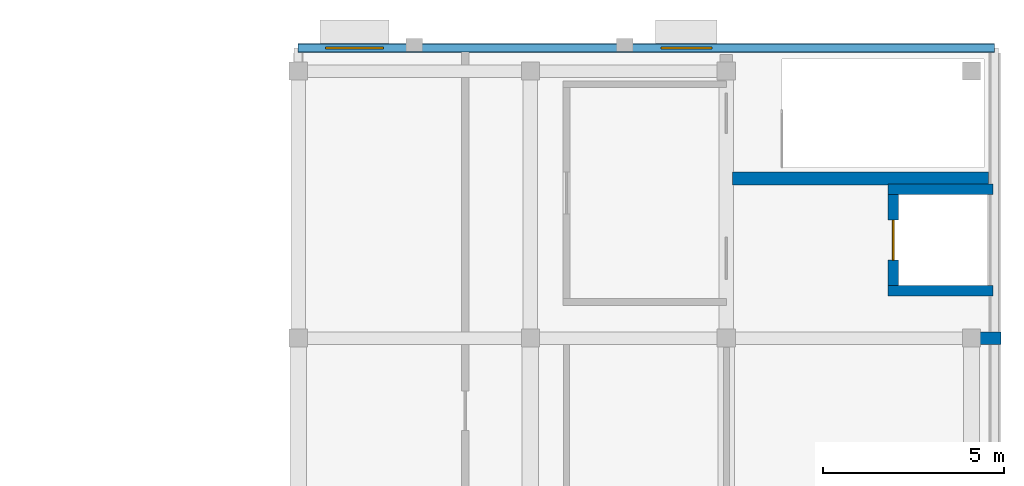
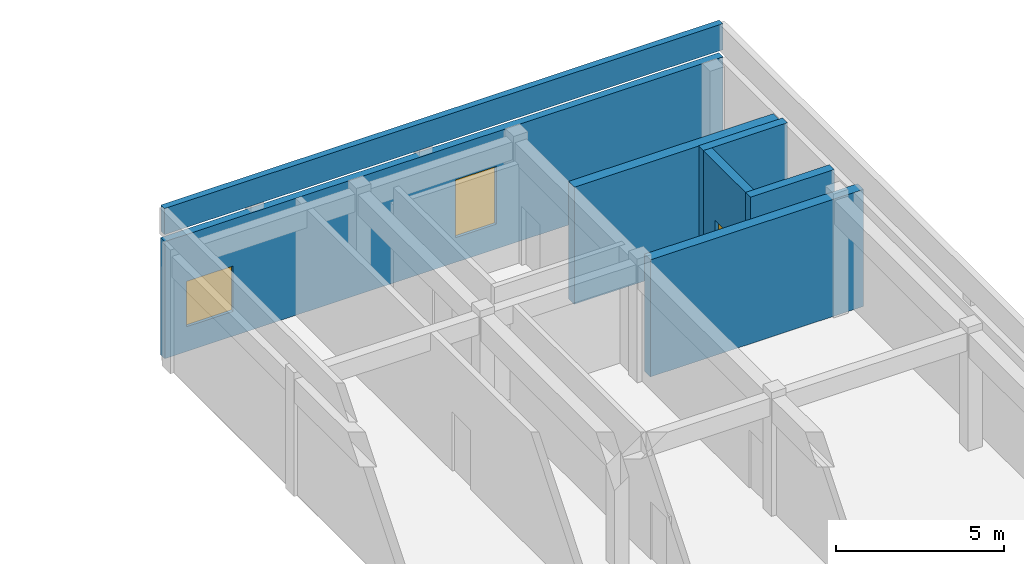
# One storey, part 4 of 5: 7 walls, 2 windows, 1 door, 3 openings.
"""IFC4 building model written with IfcOpenShell, lengths in metres."""

from ifc_helpers import new_model, si_unit, direction, frame, frame_2d, origin, place, context, subcontext, project, spatial, rectangle, extrude, material, layer, layer_set, type_object, element, fill, save


model = new_model("IFC4")

# Units and contexts
model_context = context("Model", 3, precision=1e-05, world=origin(), true_north=direction((0.0, 1.0)))
body_context = subcontext(model_context, "Body", "Model", "MODEL_VIEW")
ifc_project = project(units=[si_unit("LENGTHUNIT", "METRE"), si_unit("AREAUNIT", "SQUARE_METRE"), si_unit("VOLUMEUNIT", "CUBIC_METRE"), si_unit("PLANEANGLEUNIT", "RADIAN"), si_unit("MASSUNIT", "GRAM", prefix="KILO")], contexts=[model_context])

# Site, building, storey
site_placement = place(None, origin())
site = spatial("IfcSite", under=ifc_project, at=site_placement, CompositionType="ELEMENT")
building_placement = place(site_placement, origin())
building = spatial("IfcBuilding", under=site, at=building_placement, Name="Cinchona Park Media Centre", CompositionType="ELEMENT")
storey_placement = place(building_placement, frame((0.0, 0.0, 29.39990234375)))
storey = spatial("IfcBuildingStorey", under=building, at=storey_placement, Name="L06", CompositionType="ELEMENT", Elevation=29.39990234375)

# Walls
ifc_material_1 = material(Name="Concrete C40/50", Category="concrete")
ifc_layer_1 = layer(ifc_material_1, 0.35009765625)
ifc_layer_set_1 = layer_set([ifc_layer_1], Name="Concrete C40/50")
wall_type_1 = type_object("IfcWallType", Name="WALL-W-CR350", PredefinedType="SHEAR", material=ifc_layer_set_1)
wall_1_placement = place(storey_placement, frame((164.85205078125, 110.0, 0.0), z_axis=(0.0, 0.0, 1.0), x_axis=(1.0, 0.0, 0.0)))
element("IfcWall", 1, at=wall_1_placement, inside=storey, type_object=wall_type_1, Name="Core Shear Wall W-CR350 L06", PredefinedType="SHEAR", context=body_context, shape_type="SweptSolid", body=[
    extrude(rectangle(XDim=7.322998046875, YDim=0.35009765625, at=frame_2d((3.66162109375, 0.0))), origin(), (0.0, 0.0, 1.0), 4.255126953125),
])
wall_2_placement = place(storey_placement, frame((164.77490234375, 114.39990234375, 0.0), z_axis=(0.0, 0.0, 1.0), x_axis=(1.0, 0.0, 0.0)))
element("IfcWall", 2, at=wall_2_placement, inside=storey, type_object=wall_type_1, Name="Core Shear Wall W-CR350 L06", PredefinedType="SHEAR", context=body_context, shape_type="SweptSolid", body=[
    extrude(rectangle(XDim=7.050048828125, YDim=0.35009765625, at=frame_2d((3.52490234375, 0.0))), origin(), (0.0, 0.0, 1.0), 4.255126953125),
])

# Wall, openings, windows
ifc_material_2 = material(Name="Precast concrete C40/50", Category="concrete")
ifc_layer_2 = layer(ifc_material_2, 0.25)
ifc_layer_set_2 = layer_set([ifc_layer_2], Name="Precast concrete C40/50")
wall_type_2 = type_object("IfcWallType", Name="WALL-W-EX04", PredefinedType="SOLIDWALL", material=ifc_layer_set_2)
wall_3_placement = place(storey_placement, frame((152.800048828125, 118.0, 0.0), z_axis=(0.0, 0.0, 1.0), x_axis=(1.0, 0.0, 0.0)))
wall_3 = element("IfcWall", 3, at=wall_3_placement, inside=storey, type_object=wall_type_2, Name="Exterior Wall W-EX04 V7 L06", PredefinedType="SOLIDWALL", context=body_context, shape_type="SweptSolid", body=[
    extrude(rectangle(XDim=19.199951171875, YDim=0.25, at=frame_2d((9.60009765625, 0.0))), origin(), (0.0, 0.0, 1.0), 4.255126953125),
])
opening_1_placement = place(wall_3_placement, frame((0.75, 0.0, 0.89990234375)))
opening_1 = element("IfcOpeningElement", 4, at=opening_1_placement, cuts=wall_3, Name="Opening WN25", PredefinedType="OPENING", context=body_context, shape_type="SweptSolid", body=[
    extrude(rectangle(XDim=1.60009765625, YDim=1.64990234375, at=frame_2d((0.800048828125, 0.824951171875))), frame((0.0, 0.135009765625, 0.0), z_axis=(0.0, -1.0, 0.0), x_axis=(1.0, 0.0, 0.0)), (0.0, 0.0, 1.0), 0.27001953125),
])
opening_2_placement = place(wall_3_placement, frame((10.0, 0.0, 0.89990234375)))
opening_2 = element("IfcOpeningElement", 5, at=opening_2_placement, cuts=wall_3, Name="Opening WN01", PredefinedType="OPENING", context=body_context, shape_type="SweptSolid", body=[
    extrude(rectangle(XDim=1.39990234375, YDim=2.10009765625, at=frame_2d((0.699951171875, 1.050048828125))), frame((0.0, 0.135009765625, 0.0), z_axis=(0.0, -1.0, 0.0), x_axis=(1.0, 0.0, 0.0)), (0.0, 0.0, 1.0), 0.27001953125),
])
ifc_material_3 = material(Name="Thermally Broken Aluminium Solar-Control Window", Category="aluminium")
window_type_1 = type_object("IfcWindowType", Name="WIN-WN01", PartitioningType="SINGLE_PANEL", PredefinedType="WINDOW", material=ifc_material_3)
window_1_placement = place(opening_2_placement, origin())
window_1 = element("IfcWindow", 6, at=window_1_placement, inside=storey, type_object=window_type_1, Name="Window WN01 L06", OverallHeight=2.10009765625, OverallWidth=1.39990234375, PartitioningType="SINGLE_PANEL", PredefinedType="WINDOW", context=body_context, shape_type="SweptSolid", body=[
    extrude(rectangle(XDim=1.39990234375, YDim=2.10009765625, at=frame_2d((0.699951171875, 1.050048828125))), frame((0.0, 0.030029296875, 0.0), z_axis=(0.0, -1.0, 0.0), x_axis=(1.0, 0.0, 0.0)), (0.0, 0.0, 1.0), 0.06005859375),
])
fill(opening_2, window_1)
ifc_material_4 = material(Name="Thermally Broken Aluminium Solar-Control Window", Category="aluminium")
window_type_2 = type_object("IfcWindowType", Name="WIN-WN25", PartitioningType="SINGLE_PANEL", PredefinedType="WINDOW", material=ifc_material_4)
window_2_placement = place(opening_1_placement, origin())
window_2 = element("IfcWindow", 7, at=window_2_placement, inside=storey, type_object=window_type_2, Name="Window WN25 L06", OverallHeight=1.64990234375, OverallWidth=1.60009765625, PartitioningType="SINGLE_PANEL", PredefinedType="WINDOW", context=body_context, shape_type="SweptSolid", body=[
    extrude(rectangle(XDim=1.60009765625, YDim=1.64990234375, at=frame_2d((0.800048828125, 0.824951171875))), frame((0.0, 0.030029296875, 0.0), z_axis=(0.0, -1.0, 0.0), x_axis=(1.0, 0.0, 0.0)), (0.0, 0.0, 1.0), 0.06005859375),
])
fill(opening_1, window_2)

# Walls
ifc_material_5 = material(Name="Precast concrete C40/50", Category="concrete")
ifc_layer_3 = layer(ifc_material_5, 0.219970703125)
ifc_layer_set_3 = layer_set([ifc_layer_3], Name="Precast concrete C40/50")
wall_type_3 = type_object("IfcWallType", Name="WALL-W-PR01", PredefinedType="PARAPET", material=ifc_layer_set_3)
wall_4_placement = place(storey_placement, frame((152.800048828125, 118.0, 4.5), z_axis=(0.0, 0.0, 1.0), x_axis=(1.0, 0.0, 0.0)))
element("IfcWall", 8, at=wall_4_placement, inside=storey, type_object=wall_type_3, Name="Roof Parapet Wall W-PR01 L06", PredefinedType="PARAPET", context=body_context, shape_type="SweptSolid", body=[
    extrude(rectangle(XDim=19.199951171875, YDim=0.219970703125, at=frame_2d((9.60009765625, 0.0))), origin(), (0.0, 0.0, 1.0), 0.9501953125),
])
ifc_material_6 = material(Name="Concrete C40/50", Category="concrete")
ifc_layer_4 = layer(ifc_material_6, 0.2900390625)
ifc_layer_set_4 = layer_set([ifc_layer_4], Name="Concrete C40/50")
wall_type_4 = type_object("IfcWallType", Name="WALL-W-SH290", PredefinedType="SHEAR", material=ifc_layer_set_4)
for number, where, z_axis, x_axis, name in (
    (9, (169.054931640625, 111.300048828125, 0.0), (0.0, 0.0, 1.0), (1.0, 0.0, 0.0), "Core Shear Wall W-SH290 L06"),
    (10, (169.054931640625, 114.10009765625, 0.0), (0.0, 0.0, 1.0), (1.0, 0.0, 0.0), "Core Shear Wall W-SH290 L06"),
):
    element("IfcWall", number, at=place(storey_placement, frame(where, z_axis=z_axis, x_axis=x_axis)), inside=storey, type_object=wall_type_4, Name=name, PredefinedType="SHEAR", context=body_context, shape_type="SweptSolid", body=[
        extrude(rectangle(XDim=2.89013671875, YDim=0.2900390625, at=frame_2d((1.445068359375, 0.0))), origin(), (0.0, 0.0, 1.0), 4.255126953125),
    ])

# Wall, opening, door
wall_5_placement = place(storey_placement, frame((169.199951171875, 111.445068359375, 0.0), z_axis=(0.0, 0.0, 1.0), x_axis=(0.0, 1.0, 0.0)))
wall_5 = element("IfcWall", 11, at=wall_5_placement, inside=storey, type_object=wall_type_4, Name="Core Shear Wall W-SH290 L06", PredefinedType="SHEAR", context=body_context, shape_type="SweptSolid", body=[
    extrude(rectangle(XDim=2.510009765625, YDim=0.2900390625, at=frame_2d((1.2548828125, 0.0))), origin(), (0.0, 0.0, 1.0), 4.255126953125),
])
opening_3_placement = place(wall_5_placement, frame((0.705078125, 0.0, 0.0)))
opening_3 = element("IfcOpeningElement", 12, at=opening_3_placement, cuts=wall_5, Name="Opening LD44", PredefinedType="OPENING", context=body_context, shape_type="SweptSolid", body=[
    extrude(rectangle(XDim=1.10009765625, YDim=2.14990234375, at=frame_2d((0.550048828125, 1.074951171875))), frame((0.0, 0.155029296875, 0.0), z_axis=(0.0, -1.0, 0.0), x_axis=(1.0, 0.0, 0.0)), (0.0, 0.0, 1.0), 0.31005859375),
])
ifc_material_7 = material(Name="Stainless Steel Sliding Lift Landing Door", Category="steel")
door_type = type_object("IfcDoorType", Name="DOOR-DT-LD1", OperationType="NOTDEFINED", PredefinedType="DOOR", material=ifc_material_7)
door_placement = place(opening_3_placement, origin())
door = element("IfcDoor", 13, at=door_placement, inside=storey, type_object=door_type, Name="Lift Landing Door LD44", OperationType="SLIDING_TO_LEFT", OverallHeight=2.14990234375, OverallWidth=1.10009765625, PredefinedType="DOOR", context=body_context, shape_type="SweptSolid", body=[
    extrude(rectangle(XDim=1.10009765625, YDim=2.14990234375, at=frame_2d((0.550048828125, 1.074951171875))), frame((0.0, 0.02490234375, 0.0), z_axis=(0.0, -1.0, 0.0), x_axis=(1.0, 0.0, 0.0)), (0.0, 0.0, 1.0), 0.050048828125),
])
fill(opening_3, door)

save(model, "model.ifc")
